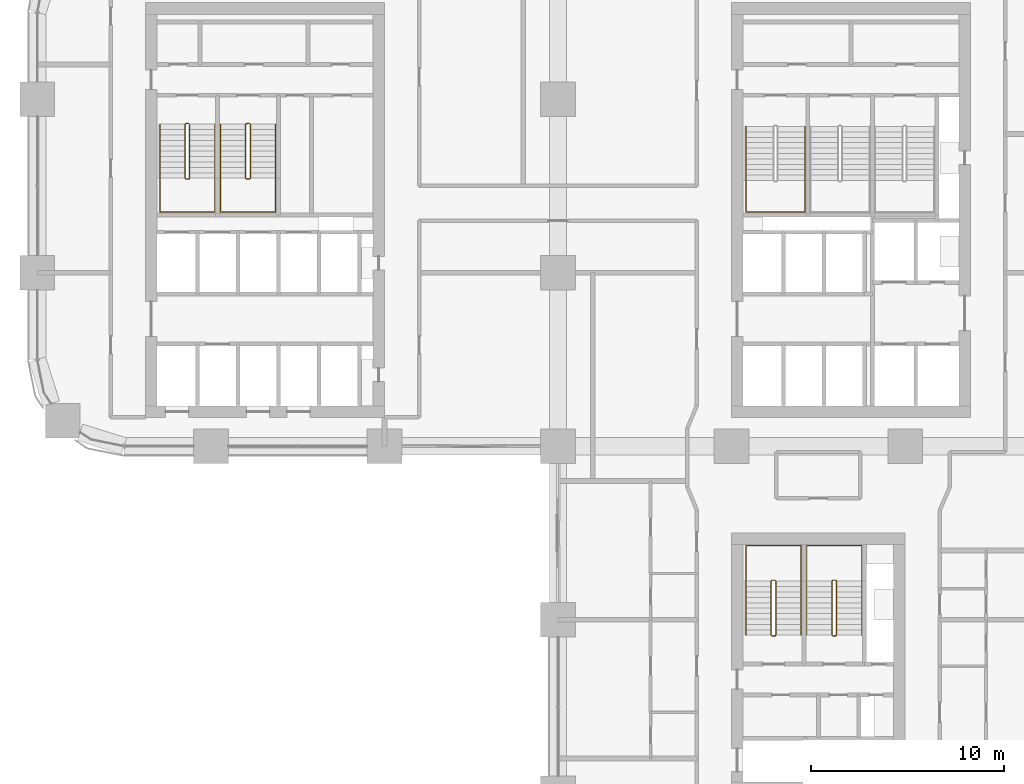
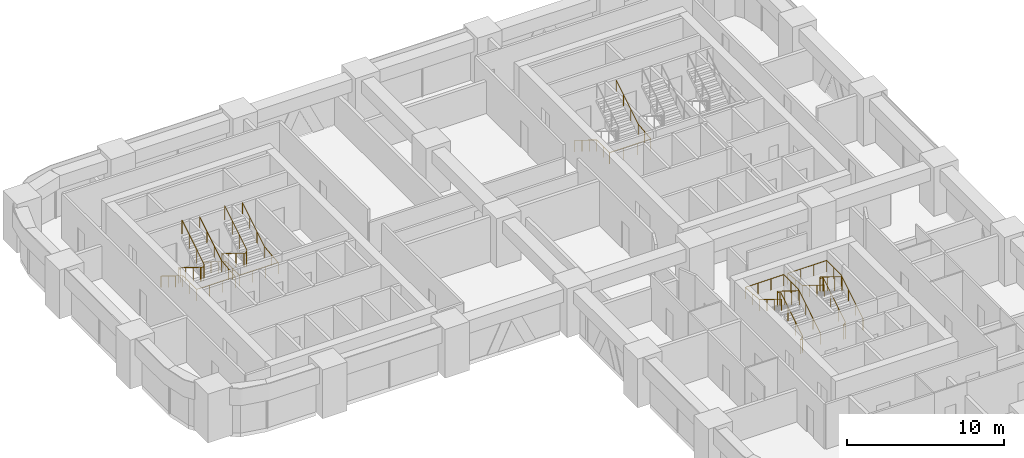
# One storey, part 23 of 24: 9 railings.
"""IFC4 building model written with IfcOpenShell, lengths in metres."""

from ifc_helpers import new_model, si_unit, direction, frame, origin, origin_2d, place, context, subcontext, project, spatial, circle, extrude, material, type_object, element, save


model = new_model("IFC4")

# Units and contexts
model_context = context("Model", 3, precision=1e-05, world=origin(), true_north=direction((0.0, 1.0)))
body_context = subcontext(model_context, "Body", "Model", "MODEL_VIEW")
ifc_project = project(units=[si_unit("LENGTHUNIT", "METRE"), si_unit("AREAUNIT", "SQUARE_METRE"), si_unit("VOLUMEUNIT", "CUBIC_METRE"), si_unit("PLANEANGLEUNIT", "RADIAN"), si_unit("MASSUNIT", "GRAM", prefix="KILO")], contexts=[model_context])

# Site, building, storey
site_placement = place(None, origin())
site = spatial("IfcSite", under=ifc_project, at=site_placement, CompositionType="ELEMENT")
building_placement = place(site_placement, origin())
building = spatial("IfcBuilding", under=site, at=building_placement, Name="Tessera Arch", CompositionType="ELEMENT")
storey_placement = place(building_placement, frame((0.0, 0.0, 112.0)))
storey = spatial("IfcBuildingStorey", under=building, at=storey_placement, Name="L26", CompositionType="ELEMENT", Elevation=112.0)

# Railings
ifc_material_1 = material(Name="Painted steel balustrade", Category="steel")
railing_type_1 = type_object("IfcRailingType", Name="Stair guard 1100", PredefinedType="GUARDRAIL", material=ifc_material_1)
railing_1_placement = place(storey_placement, frame((7.699951171875, 43.75, 0.0)))
element("IfcRailing", 1, at=railing_1_placement, inside=storey, type_object=railing_type_1, Name="L26 S2a stair guard 1", PredefinedType="GUARDRAIL", context=body_context, shape_type="SweptSolid", body=[
    extrude(circle(Radius=0.02392578125, at=origin_2d()), frame((-0.00390625, 0.0, 1.076171875), z_axis=(1.0, 0.0, 0.0), x_axis=(0.0, 1.0, 0.0)), (0.0, 0.0, 1.0), 0.158203125),
    extrude(circle(Radius=0.02392578125, at=origin_2d()), frame((0.153076171875, 0.000732421875, 1.073486328125), z_axis=(-0.744141464035, -0.186035366009, 0.641595140332), x_axis=(0.242535625036, -0.970142500145, 0.0)), (0.0, 0.0, 1.0), 0.277099609375),
    extrude(circle(Radius=0.02392578125, at=origin_2d()), frame((-0.050048828125, -0.046630859375, 1.24658203125), z_axis=(0.0, -0.851089632645, 0.525020415988), x_axis=(1.0, 0.0, 0.0)), (0.0, 0.0, 1.0), 3.2978515625),
    extrude(circle(Radius=0.02392578125, at=origin_2d()), frame((-0.052978515625, -2.84716796875, 2.97607421875), z_axis=(0.708833529934, -0.705375805398, 0.0), x_axis=(0.705375805398, 0.708833529934, 0.0)), (0.0, 0.0, 1.0), 0.07861328125),
    extrude(circle(Radius=0.02392578125, at=origin_2d()), frame((-0.00390625, -2.89990234375, 2.97607421875), z_axis=(1.0, 0.0, 0.0), x_axis=(0.0, 1.0, 0.0)), (0.0, 0.0, 1.0), 0.158203125),
    extrude(circle(Radius=0.02392578125, at=origin_2d()), frame((0.149169921875, -2.90087890625, 2.97216796875), z_axis=(0.266832911964, 0.266832911964, 0.926067165051), x_axis=(-0.707106781187, 0.707106781187, 0.0)), (0.0, 0.0, 1.0), 0.194580078125),
    extrude(circle(Radius=0.02392578125, at=origin_2d()), frame((0.199951171875, -2.853515625, 3.146728515625), z_axis=(0.0, 0.851089632645, 0.525020415988), x_axis=(-1.0, 0.0, 0.0)), (0.0, 0.0, 1.0), 3.2978515625),
    extrude(circle(Radius=0.02099609375, at=origin_2d()), origin(), (0.0, 0.0, 1.0), 1.06396484375),
    extrude(circle(Radius=0.02099609375, at=origin_2d()), frame((0.150146484375, 0.0, 0.0)), (0.0, 0.0, 1.0), 1.06396484375),
    extrude(circle(Radius=0.02099609375, at=origin_2d()), frame((-0.050048828125, -0.050048828125, 0.172607421875)), (0.0, 0.0, 1.0), 1.06396484375),
    extrude(circle(Radius=0.02099609375, at=origin_2d()), frame((-0.050048828125, -0.9833984375, 0.748291015625)), (0.0, 0.0, 1.0), 1.06396484375),
    extrude(circle(Radius=0.02099609375, at=origin_2d()), frame((-0.050048828125, -1.916748046875, 1.32421875)), (0.0, 0.0, 1.0), 1.06396484375),
    extrude(circle(Radius=0.02099609375, at=origin_2d()), frame((-0.050048828125, -2.85009765625, 1.89990234375)), (0.0, 0.0, 1.0), 1.06396484375),
    extrude(circle(Radius=0.02099609375, at=origin_2d()), frame((0.0, -2.89990234375, 1.89990234375)), (0.0, 0.0, 1.0), 1.06396484375),
    extrude(circle(Radius=0.02099609375, at=origin_2d()), frame((0.150146484375, -2.89990234375, 1.89990234375)), (0.0, 0.0, 1.0), 1.06396484375),
    extrude(circle(Radius=0.02099609375, at=origin_2d()), frame((0.199951171875, -2.85009765625, 2.07275390625)), (0.0, 0.0, 1.0), 1.06396484375),
    extrude(circle(Radius=0.02099609375, at=origin_2d()), frame((0.199951171875, -1.916748046875, 2.6484375)), (0.0, 0.0, 1.0), 1.06396484375),
    extrude(circle(Radius=0.02099609375, at=origin_2d()), frame((0.199951171875, -0.9833984375, 3.224365234375)), (0.0, 0.0, 1.0), 1.06396484375),
    extrude(circle(Radius=0.02099609375, at=origin_2d()), frame((0.199951171875, -0.050048828125, 3.800048828125)), (0.0, 0.0, 1.0), 1.06396484375),
])
railing_2_placement = place(storey_placement, frame((10.85009765625, 43.75, 0.0)))
element("IfcRailing", 2, at=railing_2_placement, inside=storey, type_object=railing_type_1, Name="L26 S2b stair guard 1", PredefinedType="GUARDRAIL", context=body_context, shape_type="SweptSolid", body=[
    extrude(circle(Radius=0.02392578125, at=origin_2d()), frame((-0.00390625, 0.0, 1.076171875), z_axis=(1.0, 0.0, 0.0), x_axis=(0.0, 1.0, 0.0)), (0.0, 0.0, 1.0), 0.157958984375),
    extrude(circle(Radius=0.02392578125, at=origin_2d()), frame((0.15283203125, 0.000732421875, 1.073486328125), z_axis=(-0.743736083135, -0.18616104645, 0.642028584587), x_axis=(0.242814311512, -0.970072785993, 0.0)), (0.0, 0.0, 1.0), 0.27685546875),
    extrude(circle(Radius=0.02392578125, at=origin_2d()), frame((-0.050048828125, -0.046630859375, 1.24658203125), z_axis=(0.0, -0.851089632645, 0.525020415988), x_axis=(1.0, 0.0, 0.0)), (0.0, 0.0, 1.0), 3.2978515625),
    extrude(circle(Radius=0.02392578125, at=origin_2d()), frame((-0.052978515625, -2.84716796875, 2.97607421875), z_axis=(0.708833529934, -0.705375805398, 0.0), x_axis=(0.705375805398, 0.708833529934, 0.0)), (0.0, 0.0, 1.0), 0.07861328125),
    extrude(circle(Radius=0.02392578125, at=origin_2d()), frame((-0.00390625, -2.89990234375, 2.97607421875), z_axis=(1.0, 0.0, 0.0), x_axis=(0.0, 1.0, 0.0)), (0.0, 0.0, 1.0), 0.157958984375),
    extrude(circle(Radius=0.02392578125, at=origin_2d()), frame((0.14892578125, -2.90087890625, 2.97216796875), z_axis=(0.268047150085, 0.266739603011, 0.925743328097), x_axis=(-0.705375805398, 0.708833529934, 0.0)), (0.0, 0.0, 1.0), 0.19482421875),
    extrude(circle(Radius=0.02392578125, at=origin_2d()), frame((0.199951171875, -2.853515625, 3.146728515625), z_axis=(0.0, 0.851089632645, 0.525020415988), x_axis=(-1.0, 0.0, 0.0)), (0.0, 0.0, 1.0), 3.2978515625),
    extrude(circle(Radius=0.02099609375, at=origin_2d()), origin(), (0.0, 0.0, 1.0), 1.06396484375),
    extrude(circle(Radius=0.02099609375, at=origin_2d()), frame((0.14990234375, 0.0, 0.0)), (0.0, 0.0, 1.0), 1.06396484375),
    extrude(circle(Radius=0.02099609375, at=origin_2d()), frame((-0.050048828125, -0.050048828125, 0.172607421875)), (0.0, 0.0, 1.0), 1.06396484375),
    extrude(circle(Radius=0.02099609375, at=origin_2d()), frame((-0.050048828125, -0.9833984375, 0.748291015625)), (0.0, 0.0, 1.0), 1.06396484375),
    extrude(circle(Radius=0.02099609375, at=origin_2d()), frame((-0.050048828125, -1.916748046875, 1.32421875)), (0.0, 0.0, 1.0), 1.06396484375),
    extrude(circle(Radius=0.02099609375, at=origin_2d()), frame((-0.050048828125, -2.85009765625, 1.89990234375)), (0.0, 0.0, 1.0), 1.06396484375),
    extrude(circle(Radius=0.02099609375, at=origin_2d()), frame((0.0, -2.89990234375, 1.89990234375)), (0.0, 0.0, 1.0), 1.06396484375),
    extrude(circle(Radius=0.02099609375, at=origin_2d()), frame((0.14990234375, -2.89990234375, 1.89990234375)), (0.0, 0.0, 1.0), 1.06396484375),
    extrude(circle(Radius=0.02099609375, at=origin_2d()), frame((0.199951171875, -2.85009765625, 2.07275390625)), (0.0, 0.0, 1.0), 1.06396484375),
    extrude(circle(Radius=0.02099609375, at=origin_2d()), frame((0.199951171875, -1.916748046875, 2.6484375)), (0.0, 0.0, 1.0), 1.06396484375),
    extrude(circle(Radius=0.02099609375, at=origin_2d()), frame((0.199951171875, -0.9833984375, 3.224365234375)), (0.0, 0.0, 1.0), 1.06396484375),
    extrude(circle(Radius=0.02099609375, at=origin_2d()), frame((0.199951171875, -0.050048828125, 3.800048828125)), (0.0, 0.0, 1.0), 1.06396484375),
])
railing_3_placement = place(storey_placement, frame((38.25, 17.14990234375, 0.0)))
element("IfcRailing", 3, at=railing_3_placement, inside=storey, type_object=railing_type_1, Name="L26 S3a stair guard 1", PredefinedType="GUARDRAIL", context=body_context, shape_type="SweptSolid", body=[
    extrude(circle(Radius=0.02392578125, at=origin_2d()), frame((0.00390625, 0.0, 1.076171875), z_axis=(-1.0, 0.0, 0.0), x_axis=(0.0, -1.0, 0.0)), (0.0, 0.0, 1.0), 0.157958984375),
    extrude(circle(Radius=0.02392578125, at=origin_2d()), frame((-0.15283203125, -0.000732421875, 1.073486328125), z_axis=(0.743736083135, 0.18616104645, 0.642028584587), x_axis=(-0.242814311512, 0.970072785993, 0.0)), (0.0, 0.0, 1.0), 0.27685546875),
    extrude(circle(Radius=0.02392578125, at=origin_2d()), frame((0.050048828125, 0.046630859375, 1.24658203125), z_axis=(0.0, 0.851089632645, 0.525020415988), x_axis=(-1.0, 0.0, 0.0)), (0.0, 0.0, 1.0), 3.2978515625),
    extrude(circle(Radius=0.02392578125, at=origin_2d()), frame((0.052978515625, 2.84716796875, 2.97607421875), z_axis=(-0.707106781187, 0.707106781187, 0.0), x_axis=(-0.707106781187, -0.707106781187, 0.0)), (0.0, 0.0, 1.0), 0.078857421875),
    extrude(circle(Radius=0.02392578125, at=origin_2d()), frame((0.00390625, 2.900146484375, 2.97607421875), z_axis=(-1.0, 0.0, 0.0), x_axis=(0.0, -1.0, 0.0)), (0.0, 0.0, 1.0), 0.157958984375),
    extrude(circle(Radius=0.02392578125, at=origin_2d()), frame((-0.14892578125, 2.901123046875, 2.97216796875), z_axis=(-0.267953482034, -0.267953482034, 0.925419830635), x_axis=(0.707106781187, -0.707106781187, 0.0)), (0.0, 0.0, 1.0), 0.19482421875),
    extrude(circle(Radius=0.02392578125, at=origin_2d()), frame((-0.199951171875, 2.853515625, 3.146728515625), z_axis=(0.0, -0.851089632645, 0.525020415988), x_axis=(1.0, 0.0, 0.0)), (0.0, 0.0, 1.0), 3.2978515625),
    extrude(circle(Radius=0.02099609375, at=origin_2d()), origin(), (0.0, 0.0, 1.0), 1.06396484375),
    extrude(circle(Radius=0.02099609375, at=origin_2d()), frame((-0.14990234375, 0.0, 0.0)), (0.0, 0.0, 1.0), 1.06396484375),
    extrude(circle(Radius=0.02099609375, at=origin_2d()), frame((0.050048828125, 0.050048828125, 0.172607421875)), (0.0, 0.0, 1.0), 1.06396484375),
    extrude(circle(Radius=0.02099609375, at=origin_2d()), frame((0.050048828125, 0.9833984375, 0.748291015625)), (0.0, 0.0, 1.0), 1.06396484375),
    extrude(circle(Radius=0.02099609375, at=origin_2d()), frame((0.050048828125, 1.916748046875, 1.32421875)), (0.0, 0.0, 1.0), 1.06396484375),
    extrude(circle(Radius=0.02099609375, at=origin_2d()), frame((0.050048828125, 2.85009765625, 1.89990234375)), (0.0, 0.0, 1.0), 1.06396484375),
    extrude(circle(Radius=0.02099609375, at=origin_2d()), frame((0.0, 2.900146484375, 1.89990234375)), (0.0, 0.0, 1.0), 1.06396484375),
    extrude(circle(Radius=0.02099609375, at=origin_2d()), frame((-0.14990234375, 2.900146484375, 1.89990234375)), (0.0, 0.0, 1.0), 1.06396484375),
    extrude(circle(Radius=0.02099609375, at=origin_2d()), frame((-0.199951171875, 2.85009765625, 2.07275390625)), (0.0, 0.0, 1.0), 1.06396484375),
    extrude(circle(Radius=0.02099609375, at=origin_2d()), frame((-0.199951171875, 1.916748046875, 2.6484375)), (0.0, 0.0, 1.0), 1.06396484375),
    extrude(circle(Radius=0.02099609375, at=origin_2d()), frame((-0.199951171875, 0.9833984375, 3.224365234375)), (0.0, 0.0, 1.0), 1.06396484375),
    extrude(circle(Radius=0.02099609375, at=origin_2d()), frame((-0.199951171875, 0.050048828125, 3.800048828125)), (0.0, 0.0, 1.0), 1.06396484375),
])
railing_4_placement = place(storey_placement, frame((41.39990234375, 17.14990234375, 0.0)))
element("IfcRailing", 4, at=railing_4_placement, inside=storey, type_object=railing_type_1, Name="L26 S3b stair guard 1", PredefinedType="GUARDRAIL", context=body_context, shape_type="SweptSolid", body=[
    extrude(circle(Radius=0.02392578125, at=origin_2d()), frame((0.00390625, 0.0, 1.076171875), z_axis=(-1.0, 0.0, 0.0), x_axis=(0.0, -1.0, 0.0)), (0.0, 0.0, 1.0), 0.157958984375),
    extrude(circle(Radius=0.02392578125, at=origin_2d()), frame((-0.15283203125, -0.000732421875, 1.073486328125), z_axis=(0.743736083135, 0.18616104645, 0.642028584587), x_axis=(-0.242814311512, 0.970072785993, 0.0)), (0.0, 0.0, 1.0), 0.27685546875),
    extrude(circle(Radius=0.02392578125, at=origin_2d()), frame((0.050048828125, 0.046630859375, 1.24658203125), z_axis=(0.0, 0.851089632645, 0.525020415988), x_axis=(-1.0, 0.0, 0.0)), (0.0, 0.0, 1.0), 3.2978515625),
    extrude(circle(Radius=0.02392578125, at=origin_2d()), frame((0.052978515625, 2.84716796875, 2.97607421875), z_axis=(-0.707106781187, 0.707106781187, 0.0), x_axis=(-0.707106781187, -0.707106781187, 0.0)), (0.0, 0.0, 1.0), 0.078857421875),
    extrude(circle(Radius=0.02392578125, at=origin_2d()), frame((0.00390625, 2.900146484375, 2.97607421875), z_axis=(-1.0, 0.0, 0.0), x_axis=(0.0, -1.0, 0.0)), (0.0, 0.0, 1.0), 0.157958984375),
    extrude(circle(Radius=0.02392578125, at=origin_2d()), frame((-0.14892578125, 2.901123046875, 2.97216796875), z_axis=(-0.267953482034, -0.267953482034, 0.925419830635), x_axis=(0.707106781187, -0.707106781187, 0.0)), (0.0, 0.0, 1.0), 0.19482421875),
    extrude(circle(Radius=0.02392578125, at=origin_2d()), frame((-0.199951171875, 2.853515625, 3.146728515625), z_axis=(0.0, -0.851089632645, 0.525020415988), x_axis=(1.0, 0.0, 0.0)), (0.0, 0.0, 1.0), 3.2978515625),
    extrude(circle(Radius=0.02099609375, at=origin_2d()), origin(), (0.0, 0.0, 1.0), 1.06396484375),
    extrude(circle(Radius=0.02099609375, at=origin_2d()), frame((-0.14990234375, 0.0, 0.0)), (0.0, 0.0, 1.0), 1.06396484375),
    extrude(circle(Radius=0.02099609375, at=origin_2d()), frame((0.050048828125, 0.050048828125, 0.172607421875)), (0.0, 0.0, 1.0), 1.06396484375),
    extrude(circle(Radius=0.02099609375, at=origin_2d()), frame((0.050048828125, 0.9833984375, 0.748291015625)), (0.0, 0.0, 1.0), 1.06396484375),
    extrude(circle(Radius=0.02099609375, at=origin_2d()), frame((0.050048828125, 1.916748046875, 1.32421875)), (0.0, 0.0, 1.0), 1.06396484375),
    extrude(circle(Radius=0.02099609375, at=origin_2d()), frame((0.050048828125, 2.85009765625, 1.89990234375)), (0.0, 0.0, 1.0), 1.06396484375),
    extrude(circle(Radius=0.02099609375, at=origin_2d()), frame((0.0, 2.900146484375, 1.89990234375)), (0.0, 0.0, 1.0), 1.06396484375),
    extrude(circle(Radius=0.02099609375, at=origin_2d()), frame((-0.14990234375, 2.900146484375, 1.89990234375)), (0.0, 0.0, 1.0), 1.06396484375),
    extrude(circle(Radius=0.02099609375, at=origin_2d()), frame((-0.199951171875, 2.85009765625, 2.07275390625)), (0.0, 0.0, 1.0), 1.06396484375),
    extrude(circle(Radius=0.02099609375, at=origin_2d()), frame((-0.199951171875, 1.916748046875, 2.6484375)), (0.0, 0.0, 1.0), 1.06396484375),
    extrude(circle(Radius=0.02099609375, at=origin_2d()), frame((-0.199951171875, 0.9833984375, 3.224365234375)), (0.0, 0.0, 1.0), 1.06396484375),
    extrude(circle(Radius=0.02099609375, at=origin_2d()), frame((-0.199951171875, 0.050048828125, 3.800048828125)), (0.0, 0.0, 1.0), 1.06396484375),
])
ifc_material_2 = material(Name="Painted steel handrail", Category="steel")
railing_type_2 = type_object("IfcRailingType", Name="Stair handrail 900", PredefinedType="HANDRAIL", material=ifc_material_2)
railing_5_placement = place(storey_placement, frame((36.75, 43.580078125, 0.172607421875)))
element("IfcRailing", 5, at=railing_5_placement, inside=storey, type_object=railing_type_2, Name="L26 S1a stair handrail", PredefinedType="HANDRAIL", context=body_context, shape_type="SweptSolid", body=[
    extrude(circle(Radius=0.02392578125, at=origin_2d()), frame((0.0, 0.00341796875, 0.873779296875), z_axis=(0.0, -0.851089632645, 0.525020415988), x_axis=(1.0, 0.0, 0.0)), (0.0, 0.0, 1.0), 3.2978515625),
    extrude(circle(Radius=0.02392578125, at=origin_2d()), frame((0.0, -2.796142578125, 2.60302734375), z_axis=(0.0, -1.0, 0.0), x_axis=(1.0, 0.0, 0.0)), (0.0, 0.0, 1.0), 1.63818359375),
    extrude(circle(Radius=0.02392578125, at=origin_2d()), frame((-0.00390625, -4.43017578125, 2.60302734375), z_axis=(1.0, 0.0, 0.0), x_axis=(0.0, 1.0, 0.0)), (0.0, 0.0, 1.0), 3.05810546875),
    extrude(circle(Radius=0.02392578125, at=origin_2d()), frame((3.050048828125, -4.43408203125, 2.602783203125), z_axis=(0.0, 0.994425187763, 0.105444515941), x_axis=(-1.0, 0.0, 0.0)), (0.0, 0.0, 1.0), 1.647216796875),
    extrude(circle(Radius=0.02392578125, at=origin_2d()), frame((3.050048828125, -2.803466796875, 2.77392578125), z_axis=(0.0, 0.851089632645, 0.525020415988), x_axis=(-1.0, 0.0, 0.0)), (0.0, 0.0, 1.0), 3.2978515625),
    extrude(circle(Radius=0.02099609375, at=origin_2d()), origin(), (0.0, 0.0, 1.0), 0.86376953125),
    extrude(circle(Radius=0.02099609375, at=origin_2d()), frame((0.0, -0.933349609375, 0.57568359375)), (0.0, 0.0, 1.0), 0.86376953125),
    extrude(circle(Radius=0.02099609375, at=origin_2d()), frame((0.0, -1.86669921875, 1.151611328125)), (0.0, 0.0, 1.0), 0.86376953125),
    extrude(circle(Radius=0.02099609375, at=origin_2d()), frame((0.0, -2.800048828125, 1.727294921875)), (0.0, 0.0, 1.0), 0.86376953125),
    extrude(circle(Radius=0.02099609375, at=origin_2d()), frame((0.0, -3.615234375, 1.727294921875)), (0.0, 0.0, 1.0), 0.86376953125),
    extrude(circle(Radius=0.02099609375, at=origin_2d()), frame((0.0, -4.43017578125, 1.727294921875)), (0.0, 0.0, 1.0), 0.86376953125),
    extrude(circle(Radius=0.02099609375, at=origin_2d()), frame((1.0166015625, -4.43017578125, 1.727294921875)), (0.0, 0.0, 1.0), 0.86376953125),
    extrude(circle(Radius=0.02099609375, at=origin_2d()), frame((2.033447265625, -4.43017578125, 1.727294921875)), (0.0, 0.0, 1.0), 0.86376953125),
    extrude(circle(Radius=0.02099609375, at=origin_2d()), frame((3.050048828125, -4.43017578125, 1.727294921875)), (0.0, 0.0, 1.0), 0.86376953125),
    extrude(circle(Radius=0.02099609375, at=origin_2d()), frame((3.050048828125, -3.615234375, 1.813720703125)), (0.0, 0.0, 1.0), 0.86376953125),
    extrude(circle(Radius=0.02099609375, at=origin_2d()), frame((3.050048828125, -2.800048828125, 1.900146484375)), (0.0, 0.0, 1.0), 0.86376953125),
    extrude(circle(Radius=0.02099609375, at=origin_2d()), frame((3.050048828125, -1.86669921875, 2.475830078125)), (0.0, 0.0, 1.0), 0.86376953125),
    extrude(circle(Radius=0.02099609375, at=origin_2d()), frame((3.050048828125, -0.933349609375, 3.0517578125)), (0.0, 0.0, 1.0), 0.86376953125),
    extrude(circle(Radius=0.02099609375, at=origin_2d()), frame((3.050048828125, 0.0, 3.62744140625)), (0.0, 0.0, 1.0), 0.86376953125),
])
railing_6_placement = place(storey_placement, frame((6.35009765625, 43.699951171875, 0.172607421875)))
element("IfcRailing", 6, at=railing_6_placement, inside=storey, type_object=railing_type_2, Name="L26 S2a stair handrail", PredefinedType="HANDRAIL", context=body_context, shape_type="SweptSolid", body=[
    extrude(circle(Radius=0.02392578125, at=origin_2d()), frame((0.0, 0.00341796875, 0.873779296875), z_axis=(0.0, -0.851089632645, 0.525020415988), x_axis=(1.0, 0.0, 0.0)), (0.0, 0.0, 1.0), 3.2978515625),
    extrude(circle(Radius=0.02392578125, at=origin_2d()), frame((0.0, -2.796142578125, 2.60302734375), z_axis=(0.0, -1.0, 0.0), x_axis=(1.0, 0.0, 0.0)), (0.0, 0.0, 1.0), 1.758056640625),
    extrude(circle(Radius=0.02392578125, at=origin_2d()), frame((-0.00390625, -4.550048828125, 2.60302734375), z_axis=(1.0, 0.0, 0.0), x_axis=(0.0, 1.0, 0.0)), (0.0, 0.0, 1.0), 2.85791015625),
    extrude(circle(Radius=0.02392578125, at=origin_2d()), frame((2.849853515625, -4.553955078125, 2.602783203125), z_axis=(0.0, 0.995157418657, 0.098294008428), x_axis=(-1.0, 0.0, 0.0)), (0.0, 0.0, 1.0), 1.7666015625),
    extrude(circle(Radius=0.02392578125, at=origin_2d()), frame((2.849853515625, -2.803466796875, 2.77392578125), z_axis=(0.0, 0.851089632645, 0.525020415988), x_axis=(-1.0, 0.0, 0.0)), (0.0, 0.0, 1.0), 3.2978515625),
    extrude(circle(Radius=0.02099609375, at=origin_2d()), origin(), (0.0, 0.0, 1.0), 0.86376953125),
    extrude(circle(Radius=0.02099609375, at=origin_2d()), frame((0.0, -0.933349609375, 0.57568359375)), (0.0, 0.0, 1.0), 0.86376953125),
    extrude(circle(Radius=0.02099609375, at=origin_2d()), frame((0.0, -1.86669921875, 1.151611328125)), (0.0, 0.0, 1.0), 0.86376953125),
    extrude(circle(Radius=0.02099609375, at=origin_2d()), frame((0.0, -2.800048828125, 1.727294921875)), (0.0, 0.0, 1.0), 0.86376953125),
    extrude(circle(Radius=0.02099609375, at=origin_2d()), frame((0.0, -3.675048828125, 1.727294921875)), (0.0, 0.0, 1.0), 0.86376953125),
    extrude(circle(Radius=0.02099609375, at=origin_2d()), frame((0.0, -4.550048828125, 1.727294921875)), (0.0, 0.0, 1.0), 0.86376953125),
    extrude(circle(Radius=0.02099609375, at=origin_2d()), frame((0.949951171875, -4.550048828125, 1.727294921875)), (0.0, 0.0, 1.0), 0.86376953125),
    extrude(circle(Radius=0.02099609375, at=origin_2d()), frame((1.89990234375, -4.550048828125, 1.727294921875)), (0.0, 0.0, 1.0), 0.86376953125),
    extrude(circle(Radius=0.02099609375, at=origin_2d()), frame((2.849853515625, -4.550048828125, 1.727294921875)), (0.0, 0.0, 1.0), 0.86376953125),
    extrude(circle(Radius=0.02099609375, at=origin_2d()), frame((2.849853515625, -3.675048828125, 1.813720703125)), (0.0, 0.0, 1.0), 0.86376953125),
    extrude(circle(Radius=0.02099609375, at=origin_2d()), frame((2.849853515625, -2.800048828125, 1.900146484375)), (0.0, 0.0, 1.0), 0.86376953125),
    extrude(circle(Radius=0.02099609375, at=origin_2d()), frame((2.849853515625, -1.86669921875, 2.475830078125)), (0.0, 0.0, 1.0), 0.86376953125),
    extrude(circle(Radius=0.02099609375, at=origin_2d()), frame((2.849853515625, -0.933349609375, 3.0517578125)), (0.0, 0.0, 1.0), 0.86376953125),
    extrude(circle(Radius=0.02099609375, at=origin_2d()), frame((2.849853515625, 0.0, 3.62744140625)), (0.0, 0.0, 1.0), 0.86376953125),
])
railing_7_placement = place(storey_placement, frame((9.5, 43.699951171875, 0.172607421875)))
element("IfcRailing", 7, at=railing_7_placement, inside=storey, type_object=railing_type_2, Name="L26 S2b stair handrail", PredefinedType="HANDRAIL", context=body_context, shape_type="SweptSolid", body=[
    extrude(circle(Radius=0.02392578125, at=origin_2d()), frame((0.0, 0.00341796875, 0.873779296875), z_axis=(0.0, -0.851089632645, 0.525020415988), x_axis=(1.0, 0.0, 0.0)), (0.0, 0.0, 1.0), 3.2978515625),
    extrude(circle(Radius=0.02392578125, at=origin_2d()), frame((0.0, -2.796142578125, 2.60302734375), z_axis=(0.0, -1.0, 0.0), x_axis=(1.0, 0.0, 0.0)), (0.0, 0.0, 1.0), 1.758056640625),
    extrude(circle(Radius=0.02392578125, at=origin_2d()), frame((-0.00390625, -4.550048828125, 2.60302734375), z_axis=(1.0, 0.0, 0.0), x_axis=(0.0, 1.0, 0.0)), (0.0, 0.0, 1.0), 2.858154296875),
    extrude(circle(Radius=0.02392578125, at=origin_2d()), frame((2.85009765625, -4.553955078125, 2.602783203125), z_axis=(0.0, 0.995157418657, 0.098294008428), x_axis=(-1.0, 0.0, 0.0)), (0.0, 0.0, 1.0), 1.7666015625),
    extrude(circle(Radius=0.02392578125, at=origin_2d()), frame((2.85009765625, -2.803466796875, 2.77392578125), z_axis=(0.0, 0.851089632645, 0.525020415988), x_axis=(-1.0, 0.0, 0.0)), (0.0, 0.0, 1.0), 3.2978515625),
    extrude(circle(Radius=0.02099609375, at=origin_2d()), origin(), (0.0, 0.0, 1.0), 0.86376953125),
    extrude(circle(Radius=0.02099609375, at=origin_2d()), frame((0.0, -0.933349609375, 0.57568359375)), (0.0, 0.0, 1.0), 0.86376953125),
    extrude(circle(Radius=0.02099609375, at=origin_2d()), frame((0.0, -1.86669921875, 1.151611328125)), (0.0, 0.0, 1.0), 0.86376953125),
    extrude(circle(Radius=0.02099609375, at=origin_2d()), frame((0.0, -2.800048828125, 1.727294921875)), (0.0, 0.0, 1.0), 0.86376953125),
    extrude(circle(Radius=0.02099609375, at=origin_2d()), frame((0.0, -3.675048828125, 1.727294921875)), (0.0, 0.0, 1.0), 0.86376953125),
    extrude(circle(Radius=0.02099609375, at=origin_2d()), frame((0.0, -4.550048828125, 1.727294921875)), (0.0, 0.0, 1.0), 0.86376953125),
    extrude(circle(Radius=0.02099609375, at=origin_2d()), frame((0.949951171875, -4.550048828125, 1.727294921875)), (0.0, 0.0, 1.0), 0.86376953125),
    extrude(circle(Radius=0.02099609375, at=origin_2d()), frame((1.900146484375, -4.550048828125, 1.727294921875)), (0.0, 0.0, 1.0), 0.86376953125),
    extrude(circle(Radius=0.02099609375, at=origin_2d()), frame((2.85009765625, -4.550048828125, 1.727294921875)), (0.0, 0.0, 1.0), 0.86376953125),
    extrude(circle(Radius=0.02099609375, at=origin_2d()), frame((2.85009765625, -3.675048828125, 1.813720703125)), (0.0, 0.0, 1.0), 0.86376953125),
    extrude(circle(Radius=0.02099609375, at=origin_2d()), frame((2.85009765625, -2.800048828125, 1.900146484375)), (0.0, 0.0, 1.0), 0.86376953125),
    extrude(circle(Radius=0.02099609375, at=origin_2d()), frame((2.85009765625, -1.86669921875, 2.475830078125)), (0.0, 0.0, 1.0), 0.86376953125),
    extrude(circle(Radius=0.02099609375, at=origin_2d()), frame((2.85009765625, -0.933349609375, 3.0517578125)), (0.0, 0.0, 1.0), 0.86376953125),
    extrude(circle(Radius=0.02099609375, at=origin_2d()), frame((2.85009765625, 0.0, 3.62744140625)), (0.0, 0.0, 1.0), 0.86376953125),
])
railing_8_placement = place(storey_placement, frame((39.60009765625, 17.199951171875, 0.172607421875)))
element("IfcRailing", 8, at=railing_8_placement, inside=storey, type_object=railing_type_2, Name="L26 S3a stair handrail", PredefinedType="HANDRAIL", context=body_context, shape_type="SweptSolid", body=[
    extrude(circle(Radius=0.02392578125, at=origin_2d()), frame((0.0, -0.00341796875, 0.873779296875), z_axis=(0.0, 0.851089632645, 0.525020415988), x_axis=(-1.0, 0.0, 0.0)), (0.0, 0.0, 1.0), 3.2978515625),
    extrude(circle(Radius=0.02392578125, at=origin_2d()), frame((0.0, 2.796142578125, 2.60302734375), z_axis=(0.0, 1.0, 0.0), x_axis=(-1.0, 0.0, 0.0)), (0.0, 0.0, 1.0), 1.858154296875),
    extrude(circle(Radius=0.02392578125, at=origin_2d()), frame((0.00390625, 4.650146484375, 2.60302734375), z_axis=(-1.0, 0.0, 0.0), x_axis=(0.0, -1.0, 0.0)), (0.0, 0.0, 1.0), 2.858154296875),
    extrude(circle(Radius=0.02392578125, at=origin_2d()), frame((-2.85009765625, 4.654052734375, 2.602783203125), z_axis=(0.0, -0.99566393824, 0.093023234135), x_axis=(1.0, 0.0, 0.0)), (0.0, 0.0, 1.0), 1.8662109375),
    extrude(circle(Radius=0.02392578125, at=origin_2d()), frame((-2.85009765625, 2.803466796875, 2.77392578125), z_axis=(0.0, -0.851089632645, 0.525020415988), x_axis=(1.0, 0.0, 0.0)), (0.0, 0.0, 1.0), 3.2978515625),
    extrude(circle(Radius=0.02099609375, at=origin_2d()), origin(), (0.0, 0.0, 1.0), 0.86376953125),
    extrude(circle(Radius=0.02099609375, at=origin_2d()), frame((0.0, 0.933349609375, 0.57568359375)), (0.0, 0.0, 1.0), 0.86376953125),
    extrude(circle(Radius=0.02099609375, at=origin_2d()), frame((0.0, 1.86669921875, 1.151611328125)), (0.0, 0.0, 1.0), 0.86376953125),
    extrude(circle(Radius=0.02099609375, at=origin_2d()), frame((0.0, 2.800048828125, 1.727294921875)), (0.0, 0.0, 1.0), 0.86376953125),
    extrude(circle(Radius=0.02099609375, at=origin_2d()), frame((0.0, 3.72509765625, 1.727294921875)), (0.0, 0.0, 1.0), 0.86376953125),
    extrude(circle(Radius=0.02099609375, at=origin_2d()), frame((0.0, 4.650146484375, 1.727294921875)), (0.0, 0.0, 1.0), 0.86376953125),
    extrude(circle(Radius=0.02099609375, at=origin_2d()), frame((-0.949951171875, 4.650146484375, 1.727294921875)), (0.0, 0.0, 1.0), 0.86376953125),
    extrude(circle(Radius=0.02099609375, at=origin_2d()), frame((-1.900146484375, 4.650146484375, 1.727294921875)), (0.0, 0.0, 1.0), 0.86376953125),
    extrude(circle(Radius=0.02099609375, at=origin_2d()), frame((-2.85009765625, 4.650146484375, 1.727294921875)), (0.0, 0.0, 1.0), 0.86376953125),
    extrude(circle(Radius=0.02099609375, at=origin_2d()), frame((-2.85009765625, 3.72509765625, 1.813720703125)), (0.0, 0.0, 1.0), 0.86376953125),
    extrude(circle(Radius=0.02099609375, at=origin_2d()), frame((-2.85009765625, 2.800048828125, 1.900146484375)), (0.0, 0.0, 1.0), 0.86376953125),
    extrude(circle(Radius=0.02099609375, at=origin_2d()), frame((-2.85009765625, 1.86669921875, 2.475830078125)), (0.0, 0.0, 1.0), 0.86376953125),
    extrude(circle(Radius=0.02099609375, at=origin_2d()), frame((-2.85009765625, 0.933349609375, 3.0517578125)), (0.0, 0.0, 1.0), 0.86376953125),
    extrude(circle(Radius=0.02099609375, at=origin_2d()), frame((-2.85009765625, 0.0, 3.62744140625)), (0.0, 0.0, 1.0), 0.86376953125),
])
railing_9_placement = place(storey_placement, frame((42.75, 17.199951171875, 0.172607421875)))
element("IfcRailing", 9, at=railing_9_placement, inside=storey, type_object=railing_type_2, Name="L26 S3b stair handrail", PredefinedType="HANDRAIL", context=body_context, shape_type="SweptSolid", body=[
    extrude(circle(Radius=0.02392578125, at=origin_2d()), frame((0.0, -0.00341796875, 0.873779296875), z_axis=(0.0, 0.851089632645, 0.525020415988), x_axis=(-1.0, 0.0, 0.0)), (0.0, 0.0, 1.0), 3.2978515625),
    extrude(circle(Radius=0.02392578125, at=origin_2d()), frame((0.0, 2.796142578125, 2.60302734375), z_axis=(0.0, 1.0, 0.0), x_axis=(-1.0, 0.0, 0.0)), (0.0, 0.0, 1.0), 1.858154296875),
    extrude(circle(Radius=0.02392578125, at=origin_2d()), frame((0.00390625, 4.650146484375, 2.60302734375), z_axis=(-1.0, 0.0, 0.0), x_axis=(0.0, -1.0, 0.0)), (0.0, 0.0, 1.0), 2.858154296875),
    extrude(circle(Radius=0.02392578125, at=origin_2d()), frame((-2.85009765625, 4.654052734375, 2.602783203125), z_axis=(0.0, -0.99566393824, 0.093023234135), x_axis=(1.0, 0.0, 0.0)), (0.0, 0.0, 1.0), 1.8662109375),
    extrude(circle(Radius=0.02392578125, at=origin_2d()), frame((-2.85009765625, 2.803466796875, 2.77392578125), z_axis=(0.0, -0.851089632645, 0.525020415988), x_axis=(1.0, 0.0, 0.0)), (0.0, 0.0, 1.0), 3.2978515625),
    extrude(circle(Radius=0.02099609375, at=origin_2d()), origin(), (0.0, 0.0, 1.0), 0.86376953125),
    extrude(circle(Radius=0.02099609375, at=origin_2d()), frame((0.0, 0.933349609375, 0.57568359375)), (0.0, 0.0, 1.0), 0.86376953125),
    extrude(circle(Radius=0.02099609375, at=origin_2d()), frame((0.0, 1.86669921875, 1.151611328125)), (0.0, 0.0, 1.0), 0.86376953125),
    extrude(circle(Radius=0.02099609375, at=origin_2d()), frame((0.0, 2.800048828125, 1.727294921875)), (0.0, 0.0, 1.0), 0.86376953125),
    extrude(circle(Radius=0.02099609375, at=origin_2d()), frame((0.0, 3.72509765625, 1.727294921875)), (0.0, 0.0, 1.0), 0.86376953125),
    extrude(circle(Radius=0.02099609375, at=origin_2d()), frame((0.0, 4.650146484375, 1.727294921875)), (0.0, 0.0, 1.0), 0.86376953125),
    extrude(circle(Radius=0.02099609375, at=origin_2d()), frame((-0.949951171875, 4.650146484375, 1.727294921875)), (0.0, 0.0, 1.0), 0.86376953125),
    extrude(circle(Radius=0.02099609375, at=origin_2d()), frame((-1.900146484375, 4.650146484375, 1.727294921875)), (0.0, 0.0, 1.0), 0.86376953125),
    extrude(circle(Radius=0.02099609375, at=origin_2d()), frame((-2.85009765625, 4.650146484375, 1.727294921875)), (0.0, 0.0, 1.0), 0.86376953125),
    extrude(circle(Radius=0.02099609375, at=origin_2d()), frame((-2.85009765625, 3.72509765625, 1.813720703125)), (0.0, 0.0, 1.0), 0.86376953125),
    extrude(circle(Radius=0.02099609375, at=origin_2d()), frame((-2.85009765625, 2.800048828125, 1.900146484375)), (0.0, 0.0, 1.0), 0.86376953125),
    extrude(circle(Radius=0.02099609375, at=origin_2d()), frame((-2.85009765625, 1.86669921875, 2.475830078125)), (0.0, 0.0, 1.0), 0.86376953125),
    extrude(circle(Radius=0.02099609375, at=origin_2d()), frame((-2.85009765625, 0.933349609375, 3.0517578125)), (0.0, 0.0, 1.0), 0.86376953125),
    extrude(circle(Radius=0.02099609375, at=origin_2d()), frame((-2.85009765625, 0.0, 3.62744140625)), (0.0, 0.0, 1.0), 0.86376953125),
])

save(model, "model.ifc")
